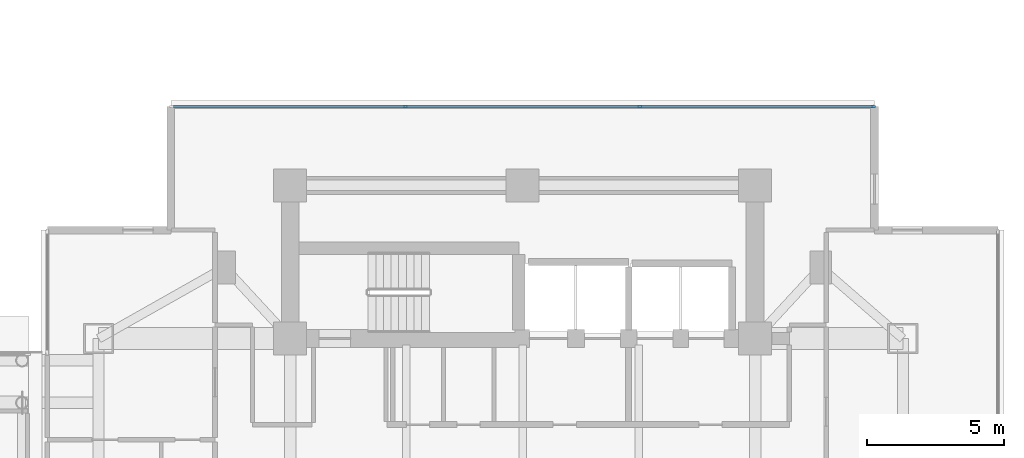
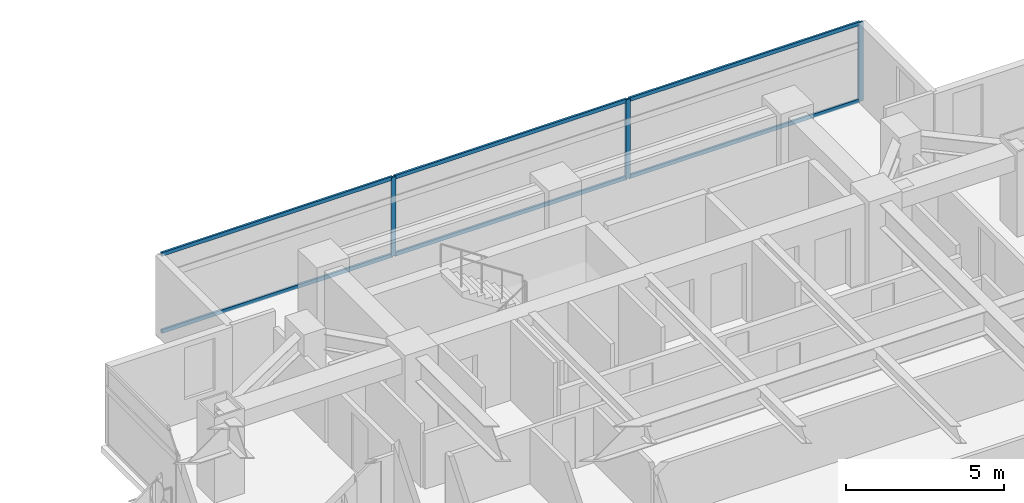
# One storey, part 11 of 28: 9 members, 1 element without a shape of its own.
"""IFC4 building model written with IfcOpenShell, lengths in metres."""

from ifc_helpers import new_model, si_unit, direction, frame, origin, origin_2d, place, context, subcontext, project, spatial, rectangle, extrude, material, material_profile, profile_set, type_object, element, aggregate, save


model = new_model("IFC4")

# Units and contexts
model_context = context("Model", 3, precision=1e-05, world=origin(), true_north=direction((0.0, 1.0)))
body_context = subcontext(model_context, "Body", "Model", "MODEL_VIEW")
ifc_project = project(units=[si_unit("LENGTHUNIT", "METRE"), si_unit("AREAUNIT", "SQUARE_METRE"), si_unit("VOLUMEUNIT", "CUBIC_METRE"), si_unit("PLANEANGLEUNIT", "RADIAN"), si_unit("MASSUNIT", "GRAM", prefix="KILO")], contexts=[model_context])

# Site, building, storey
site_placement = place(None, origin())
site = spatial("IfcSite", under=ifc_project, at=site_placement, CompositionType="ELEMENT")
building_placement = place(site_placement, origin())
building = spatial("IfcBuilding", under=site, at=building_placement, Name="Mirazonda Arch Towers", CompositionType="ELEMENT")
storey_placement = place(building_placement, frame((0.0, 0.0, 91.699951171875)))
storey = spatial("IfcBuildingStorey", under=building, at=storey_placement, Name="L25", CompositionType="ELEMENT", Elevation=91.699951171875)

# Curtain wall, members
ifc_material_1 = material(Name="Anodised Aluminium and Low-E Glass", Category="aluminium")
curtain_wall_type = type_object("IfcCurtainWallType", Name="CW-HTL-UNIT", PredefinedType="NOTDEFINED", material=ifc_material_1)
curtain_wall_placement = place(storey_placement, origin())
curtain_wall = element("IfcCurtainWall", 1, at=curtain_wall_placement, inside=storey, type_object=curtain_wall_type, Name="L25 T2 N Facade CW-L25-T2-N", PredefinedType="NOTDEFINED")
ifc_material_2 = material(Name="Anodised Aluminium Alloy", Category="aluminium")
ifc_material_profile_1 = material_profile(ifc_material_2, rectangle(XDim=0.074951171875, YDim=0.1650390625, at=origin_2d()), Name="ALU-MULL-75x165")
ifc_profile_set_1 = profile_set([ifc_material_profile_1], Name="Anodised Aluminium Alloy")
member_type_1 = type_object("IfcMemberType", Name="MULL-CW-HTL-UNIT", PredefinedType="MULLION", material=ifc_profile_set_1)
member_1_placement = place(storey_placement, frame((72.2119140625, 43.680908203125, 0.0), z_axis=(0.0, 0.0, 1.0), x_axis=(0.0, 1.0, 0.0)))
member_1 = element("IfcMember", 2, at=member_1_placement, type_object=member_type_1, Name="CW-112 mullion 2", PredefinedType="MULLION", context=body_context, shape_type="SweptSolid", body=[
    extrude(rectangle(XDim=0.074951171875, YDim=0.1650390625, at=origin_2d()), origin(), (0.0, 0.0, 1.0), 3.06005859375),
])
member_2_placement = place(storey_placement, frame((80.7880859375, 43.680908203125, 0.0), z_axis=(0.0, 0.0, 1.0), x_axis=(0.0, 1.0, 0.0)))
member_2 = element("IfcMember", 3, at=member_2_placement, type_object=member_type_1, Name="CW-112 mullion 3", PredefinedType="MULLION", context=body_context, shape_type="SweptSolid", body=[
    extrude(rectangle(XDim=0.074951171875, YDim=0.1650390625, at=origin_2d()), origin(), (0.0, 0.0, 1.0), 3.06005859375),
])
member_3_placement = place(storey_placement, frame((89.32666015625, 43.680908203125, 0.0), z_axis=(0.0, 0.0, 1.0), x_axis=(0.0, 1.0, 0.0)))
member_3 = element("IfcMember", 4, at=member_3_placement, type_object=member_type_1, Name="CW-112 mullion 4", PredefinedType="MULLION", context=body_context, shape_type="SweptSolid", body=[
    extrude(rectangle(XDim=0.074951171875, YDim=0.1650390625, at=origin_2d()), origin(), (0.0, 0.0, 1.0), 3.06005859375),
])
ifc_material_profile_2 = material_profile(ifc_material_2, rectangle(XDim=0.074951171875, YDim=0.14501953125, at=origin_2d()), Name="ALU-TRAN-75x145")
ifc_profile_set_2 = profile_set([ifc_material_profile_2], Name="Anodised Aluminium Alloy")
member_type_2 = type_object("IfcMemberType", Name="TRAN-CW-HTL-UNIT", PredefinedType="USERDEFINED", material=ifc_profile_set_2)
member_4_placement = place(storey_placement, frame((63.710693359375, 43.680908203125, 0.03759765625), z_axis=(1.0, 0.0, 0.0), x_axis=(0.0, 1.0, 0.0)))
member_4 = element("IfcMember", 5, at=member_4_placement, type_object=member_type_2, Name="CW-112 transom 1.1", ObjectType="TRANSOM", PredefinedType="USERDEFINED", context=body_context, shape_type="SweptSolid", body=[
    extrude(rectangle(XDim=0.074951171875, YDim=0.14501953125, at=origin_2d()), origin(), (0.0, 0.0, 1.0), 8.463623046875),
])
member_5_placement = place(storey_placement, frame((63.710693359375, 43.680908203125, 3.0224609375), z_axis=(1.0, 0.0, 0.0), x_axis=(0.0, 1.0, 0.0)))
member_5 = element("IfcMember", 6, at=member_5_placement, type_object=member_type_2, Name="CW-112 transom 1.2", ObjectType="TRANSOM", PredefinedType="USERDEFINED", context=body_context, shape_type="SweptSolid", body=[
    extrude(rectangle(XDim=0.074951171875, YDim=0.14501953125, at=origin_2d()), origin(), (0.0, 0.0, 1.0), 8.463623046875),
])
member_6_placement = place(storey_placement, frame((72.24951171875, 43.680908203125, 0.03759765625), z_axis=(1.0, 0.0, 0.0), x_axis=(0.0, 1.0, 0.0)))
member_6 = element("IfcMember", 7, at=member_6_placement, type_object=member_type_2, Name="CW-112 transom 2.1", ObjectType="TRANSOM", PredefinedType="USERDEFINED", context=body_context, shape_type="SweptSolid", body=[
    extrude(rectangle(XDim=0.074951171875, YDim=0.14501953125, at=origin_2d()), origin(), (0.0, 0.0, 1.0), 8.5009765625),
])
member_7_placement = place(storey_placement, frame((72.24951171875, 43.680908203125, 3.0224609375), z_axis=(1.0, 0.0, 0.0), x_axis=(0.0, 1.0, 0.0)))
member_7 = element("IfcMember", 8, at=member_7_placement, type_object=member_type_2, Name="CW-112 transom 2.2", ObjectType="TRANSOM", PredefinedType="USERDEFINED", context=body_context, shape_type="SweptSolid", body=[
    extrude(rectangle(XDim=0.074951171875, YDim=0.14501953125, at=origin_2d()), origin(), (0.0, 0.0, 1.0), 8.5009765625),
])
member_8_placement = place(storey_placement, frame((80.82568359375, 43.680908203125, 0.03759765625), z_axis=(1.0, 0.0, 0.0), x_axis=(0.0, 1.0, 0.0)))
member_8 = element("IfcMember", 9, at=member_8_placement, type_object=member_type_2, Name="CW-112 transom 3.1", ObjectType="TRANSOM", PredefinedType="USERDEFINED", context=body_context, shape_type="SweptSolid", body=[
    extrude(rectangle(XDim=0.074951171875, YDim=0.14501953125, at=origin_2d()), origin(), (0.0, 0.0, 1.0), 8.463623046875),
])
member_9_placement = place(storey_placement, frame((80.82568359375, 43.680908203125, 3.0224609375), z_axis=(1.0, 0.0, 0.0), x_axis=(0.0, 1.0, 0.0)))
member_9 = element("IfcMember", 10, at=member_9_placement, type_object=member_type_2, Name="CW-112 transom 3.2", ObjectType="TRANSOM", PredefinedType="USERDEFINED", context=body_context, shape_type="SweptSolid", body=[
    extrude(rectangle(XDim=0.074951171875, YDim=0.14501953125, at=origin_2d()), origin(), (0.0, 0.0, 1.0), 8.463623046875),
])
aggregate(curtain_wall, [member_1, member_2, member_3, member_4, member_5, member_6, member_7, member_8, member_9])

save(model, "model.ifc")
